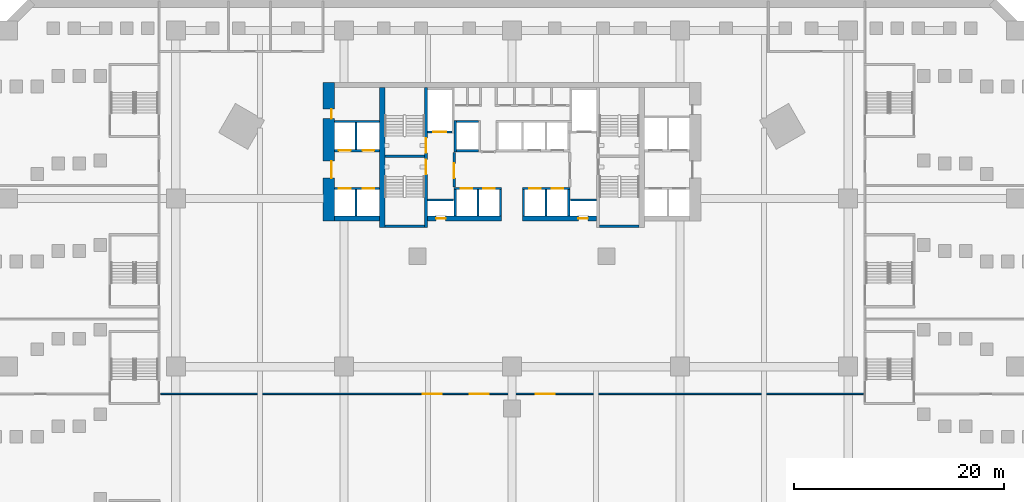
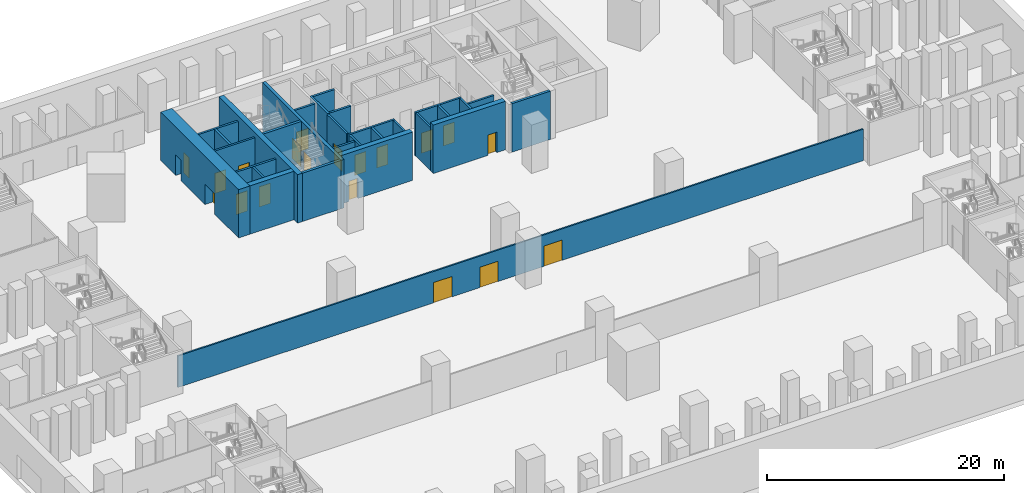
# One storey, part 7 of 24: 30 walls, 19 doors, 19 openings.
"""IFC4 building model written with IfcOpenShell, lengths in metres."""

from ifc_helpers import new_model, si_unit, direction, frame, frame_2d, origin, place, context, subcontext, project, spatial, rectangle, extrude, material, layer, layer_set, type_object, element, fill, save


model = new_model("IFC4")

# Units and contexts
model_context = context("Model", 3, precision=1e-05, world=origin(), true_north=direction((0.0, 1.0)))
body_context = subcontext(model_context, "Body", "Model", "MODEL_VIEW")
ifc_project = project(units=[si_unit("LENGTHUNIT", "METRE"), si_unit("AREAUNIT", "SQUARE_METRE"), si_unit("VOLUMEUNIT", "CUBIC_METRE"), si_unit("PLANEANGLEUNIT", "RADIAN"), si_unit("MASSUNIT", "GRAM", prefix="KILO")], contexts=[model_context])

# Site, building, storey
site_placement = place(None, origin())
site = spatial("IfcSite", under=ifc_project, at=site_placement, CompositionType="ELEMENT")
building_placement = place(site_placement, origin())
building = spatial("IfcBuilding", under=site, at=building_placement, Name="Calabash Gate Tower", CompositionType="ELEMENT")
storey_placement = place(building_placement, frame((0.0, 0.0, -5.0)))
storey = spatial("IfcBuildingStorey", under=building, at=storey_placement, Name="B1", CompositionType="ELEMENT", Elevation=-5.0)

# Wall, openings, doors
ifc_material_1 = material(Name="Concrete C60/75", Category="concrete")
ifc_layer_1 = layer(ifc_material_1, 1.10009765625)
ifc_layer_set_1 = layer_set([ifc_layer_1], Name="Core wall 1100 Concrete C60/75")
wall_type_1 = type_object("IfcWallType", Name="Core wall 1100 Concrete C60/75", PredefinedType="SHEAR", material=ifc_layer_set_1)
wall_1_placement = place(storey_placement, frame((-17.449951171875, 5.8525390625, 0.0), z_axis=(0.0, 0.0, 1.0), x_axis=(0.0, 1.0, 0.0)))
wall_1 = element("IfcWall", 1, at=wall_1_placement, inside=storey, type_object=wall_type_1, Name="Core wall B-ENDW B1", PredefinedType="SHEAR", context=body_context, shape_type="SweptSolid", body=[
    extrude(rectangle(XDim=13.199951171875, YDim=1.10009765625, at=frame_2d((6.60009765625, 0.0))), origin(), (0.0, 0.0, 1.0), 5.0),
])
opening_1_placement = place(wall_1_placement, frame((4.10009765625, 0.0, 0.0)))
opening_1 = element("IfcOpeningElement", 2, at=opening_1_placement, cuts=wall_1, Name="Opening B1-018", PredefinedType="OPENING", context=body_context, shape_type="SweptSolid", body=[
    extrude(rectangle(XDim=1.60009765625, YDim=2.10009765625, at=frame_2d((0.800048828125, 1.050048828125))), frame((0.0, 0.56005859375, 0.0), z_axis=(0.0, -1.0, 0.0), x_axis=(1.0, 0.0, 0.0)), (0.0, 0.0, 1.0), 1.1201171875),
])
opening_2_placement = place(wall_1_placement, frame((9.75, 0.0, 0.0)))
opening_2 = element("IfcOpeningElement", 3, at=opening_2_placement, cuts=wall_1, Name="Opening B1-019", PredefinedType="OPENING", context=body_context, shape_type="SweptSolid", body=[
    extrude(rectangle(XDim=0.89990234375, YDim=2.10009765625, at=frame_2d((0.449951171875, 1.050048828125))), frame((0.0, 0.56005859375, 0.0), z_axis=(0.0, -1.0, 0.0), x_axis=(1.0, 0.0, 0.0)), (0.0, 0.0, 1.0), 1.1201171875),
])
ifc_material_2 = material(Name="Steel fire door set with fire-resisting glazing", Category="steel")
door_type_1 = type_object("IfcDoorType", Name="Double fire door D08 1600x2100 FD60", OperationType="DOUBLE_DOOR_SINGLE_SWING", PredefinedType="DOOR", material=ifc_material_2)
door_1_placement = place(opening_1_placement, origin())
door_1 = element("IfcDoor", 4, at=door_1_placement, inside=storey, type_object=door_type_1, Name="Low-rise Lift Lobby W door", OperationType="DOUBLE_DOOR_SINGLE_SWING", OverallHeight=2.10009765625, OverallWidth=1.60009765625, PredefinedType="DOOR", context=body_context, shape_type="SweptSolid", body=[
    extrude(rectangle(XDim=1.60009765625, YDim=2.10009765625, at=frame_2d((0.800048828125, 1.050048828125))), frame((0.0, -0.22509765625, 0.0), z_axis=(0.0, -1.0, 0.0), x_axis=(1.0, 0.0, 0.0)), (0.0, 0.0, 1.0), 0.050048828125),
])
fill(opening_1, door_1)
ifc_material_3 = material(Name="Steel fire door set with fire-resisting glazing", Category="steel")
door_type_2 = type_object("IfcDoorType", Name="Fire door D06 900x2100 FD60", OperationType="NOTDEFINED", PredefinedType="DOOR", material=ifc_material_3)
door_2_placement = place(opening_2_placement, origin())
door_2 = element("IfcDoor", 5, at=door_2_placement, inside=storey, type_object=door_type_2, Name="Mechanical Pump Room door", OperationType="SINGLE_SWING_RIGHT", OverallHeight=2.10009765625, OverallWidth=0.89990234375, PredefinedType="DOOR", context=body_context, shape_type="SweptSolid", body=[
    extrude(rectangle(XDim=0.89990234375, YDim=2.10009765625, at=frame_2d((0.449951171875, 1.050048828125))), frame((0.0, -0.22509765625, 0.0), z_axis=(0.0, -1.0, 0.0), x_axis=(1.0, 0.0, 0.0)), (0.0, 0.0, 1.0), 0.050048828125),
])
fill(opening_2, door_2)

# Walls
ifc_material_4 = material(Name="Concrete C60/75", Category="concrete")
ifc_layer_2 = layer(ifc_material_4, 0.25)
ifc_layer_set_2 = layer_set([ifc_layer_2], Name="Core wall 250 Concrete C60/75")
wall_type_2 = type_object("IfcWallType", Name="Core wall 250 Concrete C60/75", PredefinedType="SHEAR", material=ifc_layer_set_2)
for number, where, z_axis, x_axis, name in (
    (6, (-12.10009765625, 12.027587890625, 0.0), (0.0, 0.0, 1.0), (1.0, 0.0, 0.0), "Core wall B-MIDW B1"),
    (7, (-12.10009765625, 5.377685546875, 0.0), (0.0, 0.0, 1.0), (1.0, 0.0, 0.0), "Core wall B-SSW B1"),
    (8, (8.35009765625, 5.377685546875, 0.0), (0.0, 0.0, 1.0), (1.0, 0.0, 0.0), "Core wall B-SSE B1"),
):
    element("IfcWall", number, at=place(storey_placement, frame(where, z_axis=z_axis, x_axis=x_axis)), inside=storey, type_object=wall_type_2, Name=name, PredefinedType="SHEAR", context=body_context, shape_type="SweptSolid", body=[
        extrude(rectangle(XDim=3.75, YDim=0.25, at=frame_2d((1.875, 0.0))), origin(), (0.0, 0.0, 1.0), 5.0),
    ])

# Wall, openings, doors
ifc_material_5 = material(Name="Concrete C60/75", Category="concrete")
ifc_layer_3 = layer(ifc_material_5, 0.300048828125)
ifc_layer_set_3 = layer_set([ifc_layer_3], Name="Core wall 300 Concrete C60/75")
wall_type_3 = type_object("IfcWallType", Name="Core wall 300 Concrete C60/75", PredefinedType="SHEAR", material=ifc_layer_set_3)
wall_2_placement = place(storey_placement, frame((-8.199951171875, 5.252685546875, 0.0), z_axis=(0.0, 0.0, 1.0), x_axis=(0.0, 1.0, 0.0)))
wall_2 = element("IfcWall", 9, at=wall_2_placement, inside=storey, type_object=wall_type_3, Name="Core wall B-PARTW B1", PredefinedType="SHEAR", context=body_context, shape_type="SweptSolid", body=[
    extrude(rectangle(XDim=13.2998046875, YDim=0.300048828125, at=frame_2d((6.64990234375, 0.0))), origin(), (0.0, 0.0, 1.0), 5.0),
])
opening_3_placement = place(wall_2_placement, frame((7.10009765625, 0.0, 0.0)))
opening_3 = element("IfcOpeningElement", 10, at=opening_3_placement, cuts=wall_2, Name="Opening B1-003", PredefinedType="OPENING", context=body_context, shape_type="SweptSolid", body=[
    extrude(rectangle(XDim=1.39990234375, YDim=2.10009765625, at=frame_2d((0.699951171875, 1.050048828125))), frame((0.0, 0.159912109375, 0.0), z_axis=(0.0, -1.0, 0.0), x_axis=(1.0, 0.0, 0.0)), (0.0, 0.0, 1.0), 0.320068359375),
])
opening_4_placement = place(wall_2_placement, frame((5.050048828125, 0.0, 0.0)))
opening_4 = element("IfcOpeningElement", 11, at=opening_4_placement, cuts=wall_2, Name="Opening B1-004", PredefinedType="OPENING", context=body_context, shape_type="SweptSolid", body=[
    extrude(rectangle(XDim=1.39990234375, YDim=2.10009765625, at=frame_2d((0.699951171875, 1.050048828125))), frame((0.0, 0.159912109375, 0.0), z_axis=(0.0, -1.0, 0.0), x_axis=(1.0, 0.0, 0.0)), (0.0, 0.0, 1.0), 0.320068359375),
])
ifc_material_6 = material(Name="Steel fire door set with fire-resisting glazing", Category="steel")
door_type_3 = type_object("IfcDoorType", Name="Fire door D05 1400x2100 FD90", OperationType="NOTDEFINED", PredefinedType="DOOR", material=ifc_material_6)
door_3_placement = place(opening_3_placement, origin())
door_3 = element("IfcDoor", 12, at=door_3_placement, inside=storey, type_object=door_type_3, Name="Exit stair door ST1", OperationType="SINGLE_SWING_LEFT", OverallHeight=2.10009765625, OverallWidth=1.39990234375, PredefinedType="DOOR", context=body_context, shape_type="SweptSolid", body=[
    extrude(rectangle(XDim=1.39990234375, YDim=2.10009765625, at=frame_2d((0.699951171875, 1.050048828125))), frame((0.0, 0.02490234375, 0.0), z_axis=(0.0, -1.0, 0.0), x_axis=(1.0, 0.0, 0.0)), (0.0, 0.0, 1.0), 0.050048828125),
])
fill(opening_3, door_3)
door_4_placement = place(opening_4_placement, origin())
door_4 = element("IfcDoor", 13, at=door_4_placement, inside=storey, type_object=door_type_3, Name="Exit stair door ST2", OperationType="SINGLE_SWING_LEFT", OverallHeight=2.10009765625, OverallWidth=1.39990234375, PredefinedType="DOOR", context=body_context, shape_type="SweptSolid", body=[
    extrude(rectangle(XDim=1.39990234375, YDim=2.10009765625, at=frame_2d((0.699951171875, 1.050048828125))), frame((0.0, 0.02490234375, 0.0), z_axis=(0.0, -1.0, 0.0), x_axis=(1.0, 0.0, 0.0)), (0.0, 0.0, 1.0), 0.050048828125),
])
fill(opening_4, door_4)

# Wall
ifc_material_7 = material(Name="Concrete C60/75", Category="concrete")
ifc_layer_4 = layer(ifc_material_7, 0.5)
ifc_layer_set_4 = layer_set([ifc_layer_4], Name="Core wall 500 Concrete C60/75")
wall_type_4 = type_object("IfcWallType", Name="Core wall 500 Concrete C60/75", PredefinedType="SHEAR", material=ifc_layer_set_4)
wall_3_placement = place(storey_placement, frame((-12.35009765625, 5.252685546875, 0.0), z_axis=(0.0, 0.0, 1.0), x_axis=(0.0, 1.0, 0.0)))
element("IfcWall", 14, at=wall_3_placement, inside=storey, type_object=wall_type_4, Name="Core wall B-COLW B1", PredefinedType="SHEAR", context=body_context, shape_type="SweptSolid", body=[
    extrude(rectangle(XDim=13.2998046875, YDim=0.5, at=frame_2d((6.64990234375, 0.0))), origin(), (0.0, 0.0, 1.0), 5.0),
])

# Wall, opening, door
wall_4_placement = place(storey_placement, frame((-8.050048828125, 6.1025390625, 0.0), z_axis=(0.0, 0.0, 1.0), x_axis=(1.0, 0.0, 0.0)))
wall_4 = element("IfcWall", 15, at=wall_4_placement, inside=storey, type_object=wall_type_4, Name="Core wall B-SA B1", PredefinedType="SHEAR", context=body_context, shape_type="SweptSolid", body=[
    extrude(rectangle(XDim=7.050048828125, YDim=0.5, at=frame_2d((3.52490234375, 0.0))), origin(), (0.0, 0.0, 1.0), 5.0),
])
opening_5_placement = place(wall_4_placement, frame((0.824951171875, 0.0, 0.0)))
opening_5 = element("IfcOpeningElement", 16, at=opening_5_placement, cuts=wall_4, Name="Opening B1-016", PredefinedType="OPENING", context=body_context, shape_type="SweptSolid", body=[
    extrude(rectangle(XDim=0.89990234375, YDim=2.10009765625, at=frame_2d((0.449951171875, 1.050048828125))), frame((0.0, 0.260009765625, 0.0), z_axis=(0.0, -1.0, 0.0), x_axis=(1.0, 0.0, 0.0)), (0.0, 0.0, 1.0), 0.52001953125),
])
ifc_material_8 = material(Name="Steel fire door set with fire-resisting glazing", Category="steel")
door_type_4 = type_object("IfcDoorType", Name="Fire door D07 900x2100 FD90", OperationType="NOTDEFINED", PredefinedType="DOOR", material=ifc_material_8)
door_5_placement = place(opening_5_placement, origin())
door_5 = element("IfcDoor", 17, at=door_5_placement, inside=storey, type_object=door_type_4, Name="Electrical Riser W door", OperationType="SINGLE_SWING_LEFT", OverallHeight=2.10009765625, OverallWidth=0.89990234375, PredefinedType="DOOR", context=body_context, shape_type="SweptSolid", body=[
    extrude(rectangle(XDim=0.89990234375, YDim=2.10009765625, at=frame_2d((0.449951171875, 1.050048828125))), frame((0.0, 0.02490234375, 0.0), z_axis=(0.0, -1.0, 0.0), x_axis=(1.0, 0.0, 0.0)), (0.0, 0.0, 1.0), 0.050048828125),
])
fill(opening_5, door_5)

wall_5_placement = place(storey_placement, frame((1.0, 6.1025390625, 0.0), z_axis=(0.0, 0.0, 1.0), x_axis=(1.0, 0.0, 0.0)))
wall_5 = element("IfcWall", 18, at=wall_5_placement, inside=storey, type_object=wall_type_4, Name="Core wall B-SB B1", PredefinedType="SHEAR", context=body_context, shape_type="SweptSolid", body=[
    extrude(rectangle(XDim=7.050048828125, YDim=0.5, at=frame_2d((3.52490234375, 0.0))), origin(), (0.0, 0.0, 1.0), 5.0),
])
opening_6_placement = place(wall_5_placement, frame((5.324951171875, 0.0, 0.0)))
opening_6 = element("IfcOpeningElement", 19, at=opening_6_placement, cuts=wall_5, Name="Opening B1-017", PredefinedType="OPENING", context=body_context, shape_type="SweptSolid", body=[
    extrude(rectangle(XDim=0.89990234375, YDim=2.10009765625, at=frame_2d((0.449951171875, 1.050048828125))), frame((0.0, 0.260009765625, 0.0), z_axis=(0.0, -1.0, 0.0), x_axis=(1.0, 0.0, 0.0)), (0.0, 0.0, 1.0), 0.52001953125),
])
door_6_placement = place(opening_6_placement, origin())
door_6 = element("IfcDoor", 20, at=door_6_placement, inside=storey, type_object=door_type_4, Name="Mechanical Riser E door", OperationType="SINGLE_SWING_RIGHT", OverallHeight=2.10009765625, OverallWidth=0.89990234375, PredefinedType="DOOR", context=body_context, shape_type="SweptSolid", body=[
    extrude(rectangle(XDim=0.89990234375, YDim=2.10009765625, at=frame_2d((0.449951171875, 1.050048828125))), frame((0.0, 0.02490234375, 0.0), z_axis=(0.0, -1.0, 0.0), x_axis=(1.0, 0.0, 0.0)), (0.0, 0.0, 1.0), 0.050048828125),
])
fill(opening_6, door_6)

# Wall
wall_6_placement = place(storey_placement, frame((-12.60009765625, 6.1025390625, 0.0), z_axis=(0.0, 0.0, 1.0), x_axis=(-1.0, 0.0, 0.0)))
element("IfcWall", 21, at=wall_6_placement, inside=storey, type_object=wall_type_4, Name="Core wall B-SW B1", PredefinedType="SHEAR", context=body_context, shape_type="SweptSolid", body=[
    extrude(rectangle(XDim=4.2998046875, YDim=0.5, at=frame_2d((2.14990234375, 0.0))), origin(), (0.0, 0.0, 1.0), 5.0),
])

# Wall, openings, doors
ifc_material_9 = material(Name="Gypsum board on steel studs, mineral wool", Category="steel")
ifc_layer_5 = layer(ifc_material_9, 0.14990234375)
ifc_layer_set_5 = layer_set([ifc_layer_5], Name="Partition 150 gypsum board")
wall_type_5 = type_object("IfcWallType", Name="Partition 150 gypsum board", PredefinedType="PARTITIONING", material=ifc_layer_set_5)
wall_7_placement = place(storey_placement, frame((-33.4599609375, -10.60009765625, 0.0), z_axis=(0.0, 0.0, 1.0), x_axis=(1.0, 0.0, 0.0)))
wall_7 = element("IfcWall", 22, at=wall_7_placement, inside=storey, type_object=wall_type_5, Name="Partition", PredefinedType="PARTITIONING", context=body_context, shape_type="SweptSolid", body=[
    extrude(rectangle(XDim=66.919921875, YDim=0.14990234375, at=frame_2d((33.4599609375, 0.0))), origin(), (0.0, 0.0, 1.0), 3.25),
])
opening_7_placement = place(wall_7_placement, frame((29.4599609375, 0.0, 0.0)))
opening_7 = element("IfcOpeningElement", 23, at=opening_7_placement, cuts=wall_7, Name="Opening B1-046", PredefinedType="OPENING", context=body_context, shape_type="SweptSolid", body=[
    extrude(rectangle(XDim=1.800048828125, YDim=2.10009765625, at=frame_2d((0.89990234375, 1.050048828125))), frame((0.0, 0.0849609375, 0.0), z_axis=(0.0, -1.0, 0.0), x_axis=(1.0, 0.0, 0.0)), (0.0, 0.0, 1.0), 0.169921875),
])
opening_8_placement = place(wall_7_placement, frame((35.7099609375, 0.0, 0.0)))
opening_8 = element("IfcOpeningElement", 24, at=opening_8_placement, cuts=wall_7, Name="Opening B1-047", PredefinedType="OPENING", context=body_context, shape_type="SweptSolid", body=[
    extrude(rectangle(XDim=1.800048828125, YDim=2.10009765625, at=frame_2d((0.89990234375, 1.050048828125))), frame((0.0, 0.0849609375, 0.0), z_axis=(0.0, -1.0, 0.0), x_axis=(1.0, 0.0, 0.0)), (0.0, 0.0, 1.0), 0.169921875),
])
opening_9_placement = place(wall_7_placement, frame((24.9599609375, 0.0, 0.0)))
opening_9 = element("IfcOpeningElement", 25, at=opening_9_placement, cuts=wall_7, Name="Opening B1-048", PredefinedType="OPENING", context=body_context, shape_type="SweptSolid", body=[
    extrude(rectangle(XDim=1.800048828125, YDim=2.10009765625, at=frame_2d((0.89990234375, 1.050048828125))), frame((0.0, 0.0849609375, 0.0), z_axis=(0.0, -1.0, 0.0), x_axis=(1.0, 0.0, 0.0)), (0.0, 0.0, 1.0), 0.169921875),
])
ifc_material_10 = material(Name="Steel fire door set with fire-resisting glazing", Category="steel")
door_type_5 = type_object("IfcDoorType", Name="Double fire door D17 1800x2100 FD60", OperationType="DOUBLE_DOOR_SINGLE_SWING", PredefinedType="DOOR", material=ifc_material_10)
door_7_placement = place(opening_7_placement, origin())
door_7 = element("IfcDoor", 26, at=door_7_placement, inside=storey, type_object=door_type_5, Name="Car Park door", OperationType="DOUBLE_DOOR_SINGLE_SWING", OverallHeight=2.10009765625, OverallWidth=1.800048828125, PredefinedType="DOOR", context=body_context, shape_type="SweptSolid", body=[
    extrude(rectangle(XDim=1.800048828125, YDim=2.10009765625, at=frame_2d((0.89990234375, 1.050048828125))), frame((0.0, 0.02490234375, 0.0), z_axis=(0.0, -1.0, 0.0), x_axis=(1.0, 0.0, 0.0)), (0.0, 0.0, 1.0), 0.050048828125),
])
fill(opening_7, door_7)
door_8_placement = place(opening_8_placement, origin())
door_8 = element("IfcDoor", 27, at=door_8_placement, inside=storey, type_object=door_type_5, Name="Car Park door", OperationType="DOUBLE_DOOR_SINGLE_SWING", OverallHeight=2.10009765625, OverallWidth=1.800048828125, PredefinedType="DOOR", context=body_context, shape_type="SweptSolid", body=[
    extrude(rectangle(XDim=1.800048828125, YDim=2.10009765625, at=frame_2d((0.89990234375, 1.050048828125))), frame((0.0, 0.02490234375, 0.0), z_axis=(0.0, -1.0, 0.0), x_axis=(1.0, 0.0, 0.0)), (0.0, 0.0, 1.0), 0.050048828125),
])
fill(opening_8, door_8)
door_9_placement = place(opening_9_placement, origin())
door_9 = element("IfcDoor", 28, at=door_9_placement, inside=storey, type_object=door_type_5, Name="Car Park door", OperationType="DOUBLE_DOOR_SINGLE_SWING", OverallHeight=2.10009765625, OverallWidth=1.800048828125, PredefinedType="DOOR", context=body_context, shape_type="SweptSolid", body=[
    extrude(rectangle(XDim=1.800048828125, YDim=2.10009765625, at=frame_2d((0.89990234375, 1.050048828125))), frame((0.0, 0.02490234375, 0.0), z_axis=(0.0, -1.0, 0.0), x_axis=(1.0, 0.0, 0.0)), (0.0, 0.0, 1.0), 0.050048828125),
])
fill(opening_9, door_9)

# Walls
ifc_material_11 = material(Name="Concrete C40/50", Category="concrete")
ifc_layer_6 = layer(ifc_material_11, 0.199951171875)
ifc_layer_set_6 = layer_set([ifc_layer_6], Name="Shaft wall 200 Concrete C40/50")
wall_type_6 = type_object("IfcWallType", Name="Shaft wall 200 Concrete C40/50", PredefinedType="SOLIDWALL", material=ifc_layer_set_6)
for number, where, z_axis, x_axis, name in (
    (29, (-14.85009765625, 6.3525390625, 0.0), (0.0, 0.0, 1.0), (0.0, 1.0, 0.0), "Shaft wall"),
    (30, (-5.39990234375, 6.3525390625, 0.0), (0.0, 0.0, 1.0), (0.0, 1.0, 0.0), "Shaft wall"),
    (31, (-3.25, 6.3525390625, 0.0), (0.0, 0.0, 1.0), (0.0, 1.0, 0.0), "Shaft wall"),
    (32, (-1.10009765625, 6.3525390625, 0.0), (0.0, 0.0, 1.0), (0.0, 1.0, 0.0), "Shaft wall"),
    (33, (1.10009765625, 6.3525390625, 0.0), (0.0, 0.0, 1.0), (0.0, 1.0, 0.0), "Shaft wall"),
    (34, (3.25, 6.3525390625, 0.0), (0.0, 0.0, 1.0), (0.0, 1.0, 0.0), "Shaft wall"),
    (35, (5.39990234375, 6.3525390625, 0.0), (0.0, 0.0, 1.0), (0.0, 1.0, 0.0), "Shaft wall"),
    (36, (-8.050048828125, 7.8525390625, 0.0), (0.0, 0.0, 1.0), (1.0, 0.0, 0.0), "Shaft wall"),
    (37, (5.550048828125, 7.8525390625, 0.0), (0.0, 0.0, 1.0), (1.0, 0.0, 0.0), "Shaft wall"),
):
    element("IfcWall", number, at=place(storey_placement, frame(where, z_axis=z_axis, x_axis=x_axis)), inside=storey, type_object=wall_type_6, Name=name, PredefinedType="SOLIDWALL", context=body_context, shape_type="SweptSolid", body=[
        extrude(rectangle(XDim=2.5, YDim=0.199951171875, at=frame_2d((1.25, 0.0))), origin(), (0.0, 0.0, 1.0), 4.449951171875),
    ])

# Wall, openings, doors
wall_8_placement = place(storey_placement, frame((-16.89990234375, 8.95263671875, 0.0), z_axis=(0.0, 0.0, 1.0), x_axis=(1.0, 0.0, 0.0)))
wall_8 = element("IfcWall", 38, at=wall_8_placement, inside=storey, type_object=wall_type_6, Name="Shaft wall", PredefinedType="SOLIDWALL", context=body_context, shape_type="SweptSolid", body=[
    extrude(rectangle(XDim=4.2998046875, YDim=0.199951171875, at=frame_2d((2.14990234375, 0.0))), origin(), (0.0, 0.0, 1.0), 4.449951171875),
])
opening_10_placement = place(wall_8_placement, frame((2.675048828125, 0.0, 0.0)))
opening_10 = element("IfcOpeningElement", 39, at=opening_10_placement, cuts=wall_8, Name="Opening LD-LR1", PredefinedType="OPENING", context=body_context, shape_type="SweptSolid", body=[
    extrude(rectangle(XDim=1.10009765625, YDim=2.10009765625, at=frame_2d((0.550048828125, 1.050048828125))), frame((0.0, 0.10986328125, 0.0), z_axis=(0.0, -1.0, 0.0), x_axis=(1.0, 0.0, 0.0)), (0.0, 0.0, 1.0), 0.219970703125),
])
opening_11_placement = place(wall_8_placement, frame((0.425048828125, 0.0, 0.0)))
opening_11 = element("IfcOpeningElement", 40, at=opening_11_placement, cuts=wall_8, Name="Opening LD-LR2", PredefinedType="OPENING", context=body_context, shape_type="SweptSolid", body=[
    extrude(rectangle(XDim=1.10009765625, YDim=2.10009765625, at=frame_2d((0.550048828125, 1.050048828125))), frame((0.0, 0.10986328125, 0.0), z_axis=(0.0, -1.0, 0.0), x_axis=(1.0, 0.0, 0.0)), (0.0, 0.0, 1.0), 0.219970703125),
])
ifc_material_12 = material(Name="Stainless steel sliding door leaves", Category="steel")
door_type_6 = type_object("IfcDoorType", Name="Lift landing door LS1 1100x2100 FD90", OperationType="DOUBLE_DOOR_SLIDING", PredefinedType="DOOR", material=ifc_material_12)
door_10_placement = place(opening_10_placement, origin())
door_10 = element("IfcDoor", 41, at=door_10_placement, inside=storey, type_object=door_type_6, Name="Lift landing door LR1", OperationType="DOUBLE_DOOR_SLIDING", OverallHeight=2.10009765625, OverallWidth=1.10009765625, PredefinedType="DOOR", context=body_context, shape_type="SweptSolid", body=[
    extrude(rectangle(XDim=1.10009765625, YDim=2.10009765625, at=frame_2d((0.550048828125, 1.050048828125))), frame((0.0, 0.02490234375, 0.0), z_axis=(0.0, -1.0, 0.0), x_axis=(1.0, 0.0, 0.0)), (0.0, 0.0, 1.0), 0.050048828125),
])
fill(opening_10, door_10)
door_11_placement = place(opening_11_placement, origin())
door_11 = element("IfcDoor", 42, at=door_11_placement, inside=storey, type_object=door_type_6, Name="Lift landing door LR2", OperationType="DOUBLE_DOOR_SLIDING", OverallHeight=2.10009765625, OverallWidth=1.10009765625, PredefinedType="DOOR", context=body_context, shape_type="SweptSolid", body=[
    extrude(rectangle(XDim=1.10009765625, YDim=2.10009765625, at=frame_2d((0.550048828125, 1.050048828125))), frame((0.0, 0.02490234375, 0.0), z_axis=(0.0, -1.0, 0.0), x_axis=(1.0, 0.0, 0.0)), (0.0, 0.0, 1.0), 0.050048828125),
])
fill(opening_11, door_11)

wall_9_placement = place(storey_placement, frame((-5.5, 8.95263671875, 0.0), z_axis=(0.0, 0.0, 1.0), x_axis=(1.0, 0.0, 0.0)))
wall_9 = element("IfcWall", 43, at=wall_9_placement, inside=storey, type_object=wall_type_6, Name="Shaft wall", PredefinedType="SOLIDWALL", context=body_context, shape_type="SweptSolid", body=[
    extrude(rectangle(XDim=4.5, YDim=0.199951171875, at=frame_2d((2.25, 0.0))), origin(), (0.0, 0.0, 1.0), 4.449951171875),
])
opening_12_placement = place(wall_9_placement, frame((0.625, 0.0, 0.0)))
opening_12 = element("IfcOpeningElement", 44, at=opening_12_placement, cuts=wall_9, Name="Opening LD-HR1", PredefinedType="OPENING", context=body_context, shape_type="SweptSolid", body=[
    extrude(rectangle(XDim=1.10009765625, YDim=2.10009765625, at=frame_2d((0.550048828125, 1.050048828125))), frame((0.0, 0.10986328125, 0.0), z_axis=(0.0, -1.0, 0.0), x_axis=(1.0, 0.0, 0.0)), (0.0, 0.0, 1.0), 0.219970703125),
])
opening_13_placement = place(wall_9_placement, frame((2.77490234375, 0.0, 0.0)))
opening_13 = element("IfcOpeningElement", 45, at=opening_13_placement, cuts=wall_9, Name="Opening LD-HR2", PredefinedType="OPENING", context=body_context, shape_type="SweptSolid", body=[
    extrude(rectangle(XDim=1.10009765625, YDim=2.10009765625, at=frame_2d((0.550048828125, 1.050048828125))), frame((0.0, 0.10986328125, 0.0), z_axis=(0.0, -1.0, 0.0), x_axis=(1.0, 0.0, 0.0)), (0.0, 0.0, 1.0), 0.219970703125),
])
door_12_placement = place(opening_12_placement, origin())
door_12 = element("IfcDoor", 46, at=door_12_placement, inside=storey, type_object=door_type_6, Name="Lift landing door HR1", OperationType="DOUBLE_DOOR_SLIDING", OverallHeight=2.10009765625, OverallWidth=1.10009765625, PredefinedType="DOOR", context=body_context, shape_type="SweptSolid", body=[
    extrude(rectangle(XDim=1.10009765625, YDim=2.10009765625, at=frame_2d((0.550048828125, 1.050048828125))), frame((0.0, 0.02490234375, 0.0), z_axis=(0.0, -1.0, 0.0), x_axis=(1.0, 0.0, 0.0)), (0.0, 0.0, 1.0), 0.050048828125),
])
fill(opening_12, door_12)
door_13_placement = place(opening_13_placement, origin())
door_13 = element("IfcDoor", 47, at=door_13_placement, inside=storey, type_object=door_type_6, Name="Lift landing door HR2", OperationType="DOUBLE_DOOR_SLIDING", OverallHeight=2.10009765625, OverallWidth=1.10009765625, PredefinedType="DOOR", context=body_context, shape_type="SweptSolid", body=[
    extrude(rectangle(XDim=1.10009765625, YDim=2.10009765625, at=frame_2d((0.550048828125, 1.050048828125))), frame((0.0, 0.02490234375, 0.0), z_axis=(0.0, -1.0, 0.0), x_axis=(1.0, 0.0, 0.0)), (0.0, 0.0, 1.0), 0.050048828125),
])
fill(opening_13, door_13)

wall_10_placement = place(storey_placement, frame((1.0, 8.95263671875, 0.0), z_axis=(0.0, 0.0, 1.0), x_axis=(1.0, 0.0, 0.0)))
wall_10 = element("IfcWall", 48, at=wall_10_placement, inside=storey, type_object=wall_type_6, Name="Shaft wall", PredefinedType="SOLIDWALL", context=body_context, shape_type="SweptSolid", body=[
    extrude(rectangle(XDim=4.5, YDim=0.199951171875, at=frame_2d((2.25, 0.0))), origin(), (0.0, 0.0, 1.0), 4.449951171875),
])
opening_14_placement = place(wall_10_placement, frame((0.625, 0.0, 0.0)))
opening_14 = element("IfcOpeningElement", 49, at=opening_14_placement, cuts=wall_10, Name="Opening LD-HR3", PredefinedType="OPENING", context=body_context, shape_type="SweptSolid", body=[
    extrude(rectangle(XDim=1.10009765625, YDim=2.10009765625, at=frame_2d((0.550048828125, 1.050048828125))), frame((0.0, 0.10986328125, 0.0), z_axis=(0.0, -1.0, 0.0), x_axis=(1.0, 0.0, 0.0)), (0.0, 0.0, 1.0), 0.219970703125),
])
opening_15_placement = place(wall_10_placement, frame((2.77490234375, 0.0, 0.0)))
opening_15 = element("IfcOpeningElement", 50, at=opening_15_placement, cuts=wall_10, Name="Opening LD-HR4", PredefinedType="OPENING", context=body_context, shape_type="SweptSolid", body=[
    extrude(rectangle(XDim=1.10009765625, YDim=2.10009765625, at=frame_2d((0.550048828125, 1.050048828125))), frame((0.0, 0.10986328125, 0.0), z_axis=(0.0, -1.0, 0.0), x_axis=(1.0, 0.0, 0.0)), (0.0, 0.0, 1.0), 0.219970703125),
])
door_14_placement = place(opening_14_placement, origin())
door_14 = element("IfcDoor", 51, at=door_14_placement, inside=storey, type_object=door_type_6, Name="Lift landing door HR3", OperationType="DOUBLE_DOOR_SLIDING", OverallHeight=2.10009765625, OverallWidth=1.10009765625, PredefinedType="DOOR", context=body_context, shape_type="SweptSolid", body=[
    extrude(rectangle(XDim=1.10009765625, YDim=2.10009765625, at=frame_2d((0.550048828125, 1.050048828125))), frame((0.0, 0.02490234375, 0.0), z_axis=(0.0, -1.0, 0.0), x_axis=(1.0, 0.0, 0.0)), (0.0, 0.0, 1.0), 0.050048828125),
])
fill(opening_14, door_14)
door_15_placement = place(opening_15_placement, origin())
door_15 = element("IfcDoor", 52, at=door_15_placement, inside=storey, type_object=door_type_6, Name="Lift landing door HR4", OperationType="DOUBLE_DOOR_SLIDING", OverallHeight=2.10009765625, OverallWidth=1.10009765625, PredefinedType="DOOR", context=body_context, shape_type="SweptSolid", body=[
    extrude(rectangle(XDim=1.10009765625, YDim=2.10009765625, at=frame_2d((0.550048828125, 1.050048828125))), frame((0.0, 0.02490234375, 0.0), z_axis=(0.0, -1.0, 0.0), x_axis=(1.0, 0.0, 0.0)), (0.0, 0.0, 1.0), 0.050048828125),
])
fill(opening_15, door_15)

# Wall, opening, door
wall_11_placement = place(storey_placement, frame((-5.5, 9.1025390625, 0.0), z_axis=(0.0, 0.0, 1.0), x_axis=(0.0, 1.0, 0.0)))
wall_11 = element("IfcWall", 53, at=wall_11_placement, inside=storey, type_object=wall_type_6, Name="Shaft wall", PredefinedType="SOLIDWALL", context=body_context, shape_type="SweptSolid", body=[
    extrude(rectangle(XDim=3.300048828125, YDim=0.199951171875, at=frame_2d((1.64990234375, 0.0))), origin(), (0.0, 0.0, 1.0), 4.449951171875),
])
opening_16_placement = place(wall_11_placement, frame((0.85009765625, 0.0, 0.0)))
opening_16 = element("IfcOpeningElement", 54, at=opening_16_placement, cuts=wall_11, Name="Opening B1-008", PredefinedType="OPENING", context=body_context, shape_type="SweptSolid", body=[
    extrude(rectangle(XDim=1.39990234375, YDim=2.10009765625, at=frame_2d((0.699951171875, 1.050048828125))), frame((0.0, 0.10986328125, 0.0), z_axis=(0.0, -1.0, 0.0), x_axis=(1.0, 0.0, 0.0)), (0.0, 0.0, 1.0), 0.219970703125),
])
door_16_placement = place(opening_16_placement, origin())
door_16 = element("IfcDoor", 55, at=door_16_placement, inside=storey, type_object=door_type_3, Name="Firefighting Lobby W door", OperationType="SINGLE_SWING_RIGHT", OverallHeight=2.10009765625, OverallWidth=1.39990234375, PredefinedType="DOOR", context=body_context, shape_type="SweptSolid", body=[
    extrude(rectangle(XDim=1.39990234375, YDim=2.10009765625, at=frame_2d((0.699951171875, 1.050048828125))), frame((0.0, 0.02490234375, 0.0), z_axis=(0.0, -1.0, 0.0), x_axis=(1.0, 0.0, 0.0)), (0.0, 0.0, 1.0), 0.050048828125),
])
fill(opening_16, door_16)

# Wall, openings, doors
wall_12_placement = place(storey_placement, frame((-16.89990234375, 12.552490234375, 0.0), z_axis=(0.0, 0.0, 1.0), x_axis=(1.0, 0.0, 0.0)))
wall_12 = element("IfcWall", 56, at=wall_12_placement, inside=storey, type_object=wall_type_6, Name="Shaft wall", PredefinedType="SOLIDWALL", context=body_context, shape_type="SweptSolid", body=[
    extrude(rectangle(XDim=4.2998046875, YDim=0.199951171875, at=frame_2d((2.14990234375, 0.0))), origin(), (0.0, 0.0, 1.0), 4.449951171875),
])
opening_17_placement = place(wall_12_placement, frame((2.675048828125, 0.0, 0.0)))
opening_17 = element("IfcOpeningElement", 57, at=opening_17_placement, cuts=wall_12, Name="Opening LD-LR3", PredefinedType="OPENING", context=body_context, shape_type="SweptSolid", body=[
    extrude(rectangle(XDim=1.10009765625, YDim=2.10009765625, at=frame_2d((0.550048828125, 1.050048828125))), frame((0.0, 0.10986328125, 0.0), z_axis=(0.0, -1.0, 0.0), x_axis=(1.0, 0.0, 0.0)), (0.0, 0.0, 1.0), 0.219970703125),
])
opening_18_placement = place(wall_12_placement, frame((0.425048828125, 0.0, 0.0)))
opening_18 = element("IfcOpeningElement", 58, at=opening_18_placement, cuts=wall_12, Name="Opening LD-LR4", PredefinedType="OPENING", context=body_context, shape_type="SweptSolid", body=[
    extrude(rectangle(XDim=1.10009765625, YDim=2.10009765625, at=frame_2d((0.550048828125, 1.050048828125))), frame((0.0, 0.10986328125, 0.0), z_axis=(0.0, -1.0, 0.0), x_axis=(1.0, 0.0, 0.0)), (0.0, 0.0, 1.0), 0.219970703125),
])
door_17_placement = place(opening_17_placement, origin())
door_17 = element("IfcDoor", 59, at=door_17_placement, inside=storey, type_object=door_type_6, Name="Lift landing door LR3", OperationType="DOUBLE_DOOR_SLIDING", OverallHeight=2.10009765625, OverallWidth=1.10009765625, PredefinedType="DOOR", context=body_context, shape_type="SweptSolid", body=[
    extrude(rectangle(XDim=1.10009765625, YDim=2.10009765625, at=frame_2d((0.550048828125, 1.050048828125))), frame((0.0, 0.02490234375, 0.0), z_axis=(0.0, -1.0, 0.0), x_axis=(1.0, 0.0, 0.0)), (0.0, 0.0, 1.0), 0.050048828125),
])
fill(opening_17, door_17)
door_18_placement = place(opening_18_placement, origin())
door_18 = element("IfcDoor", 60, at=door_18_placement, inside=storey, type_object=door_type_6, Name="Lift landing door LR4", OperationType="DOUBLE_DOOR_SLIDING", OverallHeight=2.10009765625, OverallWidth=1.10009765625, PredefinedType="DOOR", context=body_context, shape_type="SweptSolid", body=[
    extrude(rectangle(XDim=1.10009765625, YDim=2.10009765625, at=frame_2d((0.550048828125, 1.050048828125))), frame((0.0, 0.02490234375, 0.0), z_axis=(0.0, -1.0, 0.0), x_axis=(1.0, 0.0, 0.0)), (0.0, 0.0, 1.0), 0.050048828125),
])
fill(opening_18, door_18)

# Walls
wall_13_placement = place(storey_placement, frame((-5.39990234375, 12.45263671875, 0.0), z_axis=(0.0, 0.0, 1.0), x_axis=(0.0, 1.0, 0.0)))
element("IfcWall", 61, at=wall_13_placement, inside=storey, type_object=wall_type_6, Name="Shaft wall", PredefinedType="SOLIDWALL", context=body_context, shape_type="SweptSolid", body=[
    extrude(rectangle(XDim=3.0, YDim=0.199951171875, at=frame_2d((1.5, 0.0))), origin(), (0.0, 0.0, 1.0), 4.449951171875),
])
wall_14_placement = place(storey_placement, frame((-5.300048828125, 12.552490234375, 0.0), z_axis=(0.0, 0.0, 1.0), x_axis=(1.0, 0.0, 0.0)))
element("IfcWall", 62, at=wall_14_placement, inside=storey, type_object=wall_type_6, Name="Shaft wall", PredefinedType="SOLIDWALL", context=body_context, shape_type="SweptSolid", body=[
    extrude(rectangle(XDim=2.10009765625, YDim=0.199951171875, at=frame_2d((1.050048828125, 0.0))), origin(), (0.0, 0.0, 1.0), 4.449951171875),
])
wall_15_placement = place(storey_placement, frame((-14.85009765625, 12.652587890625, 0.0), z_axis=(0.0, 0.0, 1.0), x_axis=(0.0, 1.0, 0.0)))
element("IfcWall", 63, at=wall_15_placement, inside=storey, type_object=wall_type_6, Name="Shaft wall", PredefinedType="SOLIDWALL", context=body_context, shape_type="SweptSolid", body=[
    extrude(rectangle(XDim=2.60009765625, YDim=0.199951171875, at=frame_2d((1.300048828125, 0.0))), origin(), (0.0, 0.0, 1.0), 4.449951171875),
])

# Wall, opening, door
wall_16_placement = place(storey_placement, frame((-8.050048828125, 14.3525390625, 0.0), z_axis=(0.0, 0.0, 1.0), x_axis=(1.0, 0.0, 0.0)))
wall_16 = element("IfcWall", 64, at=wall_16_placement, inside=storey, type_object=wall_type_6, Name="Shaft wall", PredefinedType="SOLIDWALL", context=body_context, shape_type="SweptSolid", body=[
    extrude(rectangle(XDim=2.35009765625, YDim=0.199951171875, at=frame_2d((1.175048828125, 0.0))), origin(), (0.0, 0.0, 1.0), 4.449951171875),
])
opening_19_placement = place(wall_16_placement, frame((0.574951171875, 0.0, 0.0)))
opening_19 = element("IfcOpeningElement", 65, at=opening_19_placement, cuts=wall_16, Name="Opening LD-FF1", PredefinedType="OPENING", context=body_context, shape_type="SweptSolid", body=[
    extrude(rectangle(XDim=1.199951171875, YDim=2.10009765625, at=frame_2d((0.60009765625, 1.050048828125))), frame((0.0, 0.10986328125, 0.0), z_axis=(0.0, -1.0, 0.0), x_axis=(1.0, 0.0, 0.0)), (0.0, 0.0, 1.0), 0.219970703125),
])
ifc_material_13 = material(Name="Stainless steel sliding door leaves", Category="steel")
door_type_7 = type_object("IfcDoorType", Name="Lift landing door LS3 1200x2100 FD90", OperationType="DOUBLE_DOOR_SLIDING", PredefinedType="DOOR", material=ifc_material_13)
door_19_placement = place(opening_19_placement, origin())
door_19 = element("IfcDoor", 66, at=door_19_placement, inside=storey, type_object=door_type_7, Name="Lift landing door FF1", OperationType="DOUBLE_DOOR_SLIDING", OverallHeight=2.10009765625, OverallWidth=1.199951171875, PredefinedType="DOOR", context=body_context, shape_type="SweptSolid", body=[
    extrude(rectangle(XDim=1.199951171875, YDim=2.10009765625, at=frame_2d((0.60009765625, 1.050048828125))), frame((0.0, 0.02490234375, 0.0), z_axis=(0.0, -1.0, 0.0), x_axis=(1.0, 0.0, 0.0)), (0.0, 0.0, 1.0), 0.050048828125),
])
fill(opening_19, door_19)

# Walls
wall_17_placement = place(storey_placement, frame((-16.89990234375, 15.3525390625, 0.0), z_axis=(0.0, 0.0, 1.0), x_axis=(1.0, 0.0, 0.0)))
element("IfcWall", 67, at=wall_17_placement, inside=storey, type_object=wall_type_6, Name="Shaft wall", PredefinedType="SOLIDWALL", context=body_context, shape_type="SweptSolid", body=[
    extrude(rectangle(XDim=4.2998046875, YDim=0.199951171875, at=frame_2d((2.14990234375, 0.0))), origin(), (0.0, 0.0, 1.0), 4.449951171875),
])
wall_18_placement = place(storey_placement, frame((-5.300048828125, 15.3525390625, 0.0), z_axis=(0.0, 0.0, 1.0), x_axis=(1.0, 0.0, 0.0)))
element("IfcWall", 68, at=wall_18_placement, inside=storey, type_object=wall_type_6, Name="Shaft wall", PredefinedType="SOLIDWALL", context=body_context, shape_type="SweptSolid", body=[
    extrude(rectangle(XDim=2.10009765625, YDim=0.199951171875, at=frame_2d((1.050048828125, 0.0))), origin(), (0.0, 0.0, 1.0), 4.449951171875),
])

save(model, "model.ifc")
